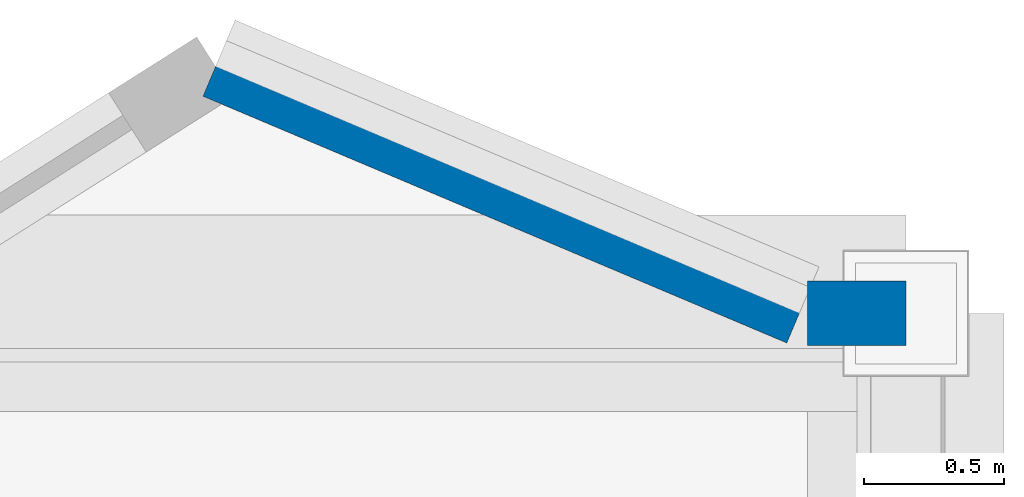
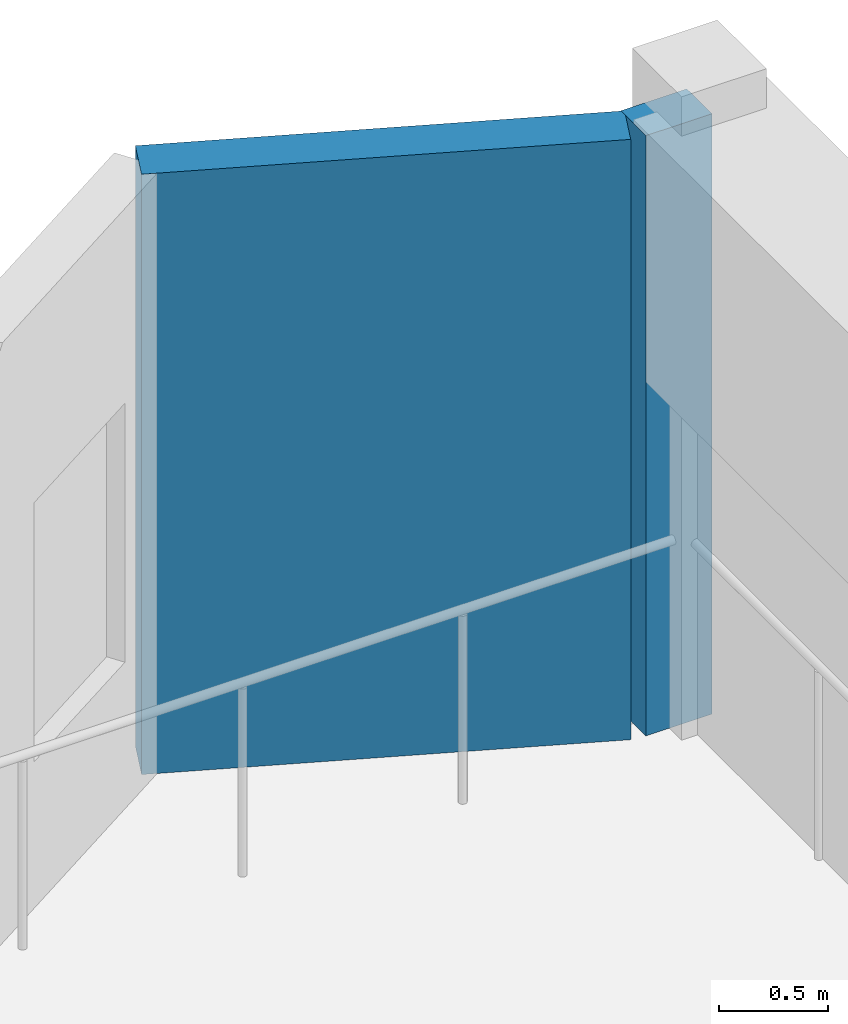
# One storey, part 28 of 34: 2 walls.
"""IFC4 building model written with IfcOpenShell, lengths in metres."""

from ifc_helpers import new_model, si_unit, direction, frame, frame_2d, origin, place, context, subcontext, project, spatial, rectangle, extrude, material, layer, layer_set, type_object, element, save


model = new_model("IFC4")

# Units and contexts
model_context = context("Model", 3, precision=1e-05, world=origin(), true_north=direction((0.0, 1.0)))
body_context = subcontext(model_context, "Body", "Model", "MODEL_VIEW")
ifc_project = project(units=[si_unit("LENGTHUNIT", "METRE"), si_unit("AREAUNIT", "SQUARE_METRE"), si_unit("VOLUMEUNIT", "CUBIC_METRE"), si_unit("PLANEANGLEUNIT", "RADIAN"), si_unit("MASSUNIT", "GRAM", prefix="KILO")], contexts=[model_context])

# Site, building, storey
site_placement = place(None, origin())
site = spatial("IfcSite", under=ifc_project, at=site_placement, CompositionType="ELEMENT")
building_placement = place(site_placement, origin())
building = spatial("IfcBuilding", under=site, at=building_placement, Name="Vharandega Faculty of Natural Sciences", CompositionType="ELEMENT")
storey_placement = place(building_placement, frame((0.0, 0.0, 21.60009765625)))
storey = spatial("IfcBuildingStorey", under=building, at=storey_placement, Name="L05", CompositionType="ELEMENT", Elevation=21.60009765625)

# Walls
ifc_material = material(Name="Precast concrete C40/50", Category="concrete")
ifc_layer = layer(ifc_material, 0.22998046875, Name="Precast concrete C40/50")
ifc_layer_set = layer_set([ifc_layer], Name="Precast concrete C40/50")
wall_type = type_object("IfcWallType", Name="Sawtooth Solid White Precast Wall 230", PredefinedType="SOLIDWALL", material=ifc_layer_set)
wall_1_placement = place(storey_placement, frame((161.050048828125, 97.0, 0.0), z_axis=(0.0, 0.0, 1.0), x_axis=(1.0, 0.0, 0.0)))
element("IfcWall", 1, at=wall_1_placement, inside=storey, type_object=wall_type, Name="Exterior Wall EW-SHL-L05-N21R", PredefinedType="SOLIDWALL", context=body_context, shape_type="SweptSolid", body=[
    extrude(rectangle(XDim=0.349853515625, YDim=0.22998046875, at=frame_2d((0.1748046875, 0.0))), origin(), (0.0, 0.0, 1.0), 3.35986328125),
])
wall_2_placement = place(storey_placement, frame((158.93798828125, 97.8798828125, 0.0), z_axis=(0.0, 0.0, 1.0), x_axis=(0.921122216024, -0.389273506866, 0.0)))
element("IfcWall", 2, at=wall_2_placement, inside=storey, type_object=wall_type, Name="Exterior Wall EW-SAW-L05-N10S", PredefinedType="SOLIDWALL", context=body_context, shape_type="SweptSolid", body=[
    extrude(rectangle(XDim=2.26025390625, YDim=0.22998046875, at=frame_2d((1.130126953125, 0.0))), origin(), (0.0, 0.0, 1.0), 3.35986328125),
])

save(model, "model.ifc")
